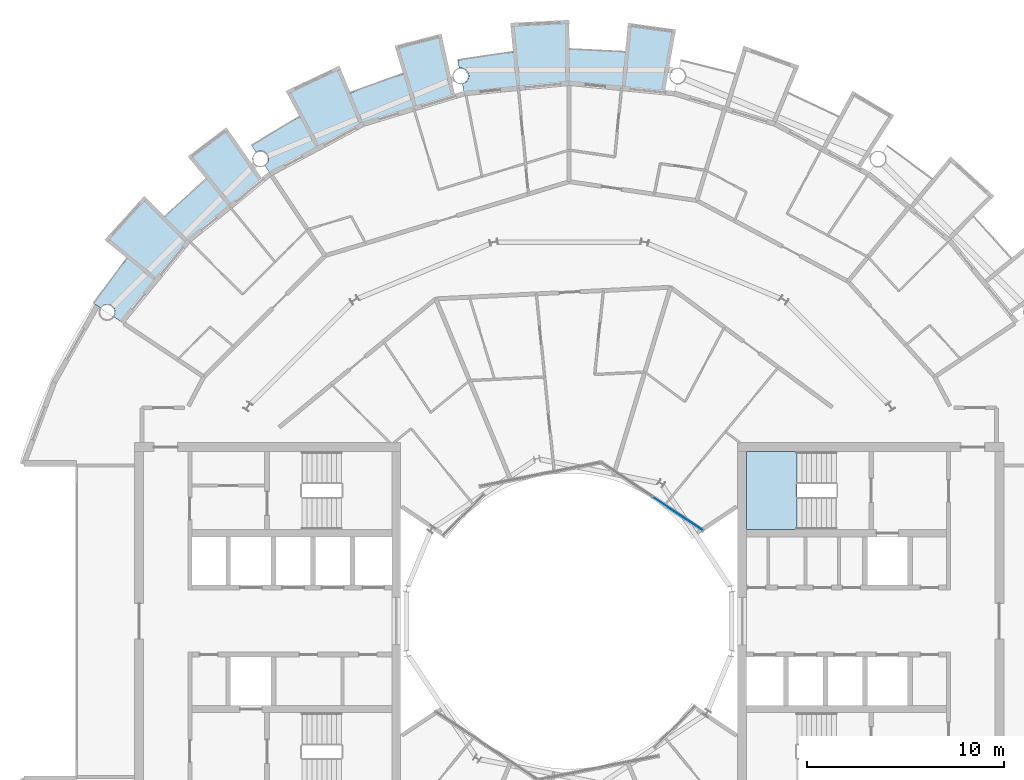
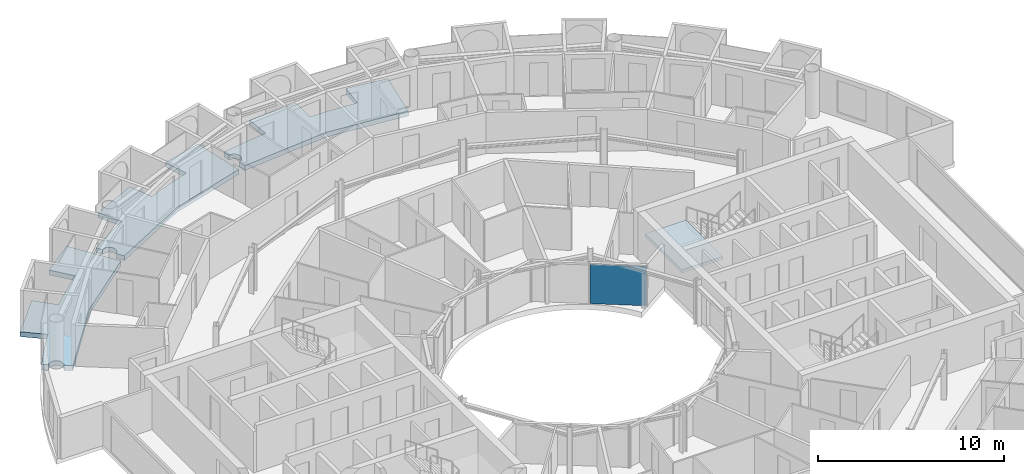
# One storey, part 13 of 29: 4 slabs, 1 plate, 2 elements without a shape of their own.
"""IFC4 building model written with IfcOpenShell, lengths in metres."""

from ifc_helpers import new_model, si_unit, direction, frame, origin, origin_2d, place, context, subcontext, project, spatial, polyline, rectangle, outline, extrude, material, layer, layer_set, type_object, element, aggregate, save


model = new_model("IFC4")

# Units and contexts
model_context = context("Model", 3, precision=1e-05, world=origin(), true_north=direction((0.0, 1.0)))
body_context = subcontext(model_context, "Body", "Model", "MODEL_VIEW")
ifc_project = project(units=[si_unit("LENGTHUNIT", "METRE"), si_unit("AREAUNIT", "SQUARE_METRE"), si_unit("VOLUMEUNIT", "CUBIC_METRE"), si_unit("PLANEANGLEUNIT", "RADIAN"), si_unit("MASSUNIT", "GRAM", prefix="KILO")], contexts=[model_context])

# Site, building, storey
site_placement = place(None, origin())
site = spatial("IfcSite", under=ifc_project, at=site_placement, CompositionType="ELEMENT")
building_placement = place(site_placement, origin())
building = spatial("IfcBuilding", under=site, at=building_placement, Name="Maasbend Ring Residences", CompositionType="ELEMENT")
storey_placement = place(building_placement, frame((0.0, 0.0, 205.449951171875)))
storey = spatial("IfcBuildingStorey", under=building, at=storey_placement, Name="L59", CompositionType="ELEMENT", Elevation=205.449951171875)

# Stair, slab
ifc_material_1 = material(Name="Concrete C40/50", Category="concrete")
stair_type = type_object("IfcStairType", Name="CORE STAIR 18 RISERS", PredefinedType="HALF_TURN_STAIR", material=ifc_material_1)
stair_placement = place(storey_placement, origin())
stair = element("IfcStair", 1, at=stair_placement, inside=storey, type_object=stair_type, Name="L59 Exit stair ST-E1", PredefinedType="HALF_TURN_STAIR")
ifc_material_2 = material(Name="Concrete C40/50", Category="concrete")
ifc_layer_1 = layer(ifc_material_2, 0.199951171875)
ifc_layer_set_1 = layer_set([ifc_layer_1], Name="Concrete C40/50")
slab_type_1 = type_object("IfcSlabType", Name="CORE STAIR LANDING 200", PredefinedType="LANDING", material=ifc_layer_set_1)
slab_1_placement = place(storey_placement, frame((0.0, 0.0, 1.324951171875)))
slab_1 = element("IfcSlab", 2, at=slab_1_placement, type_object=slab_type_1, Name="ST-E1 landing 1", PredefinedType="LANDING", context=body_context, shape_type="SweptSolid", body=[
    extrude(outline(polyline([(11.550048828125, 8.60009765625), (9.0, 8.60009765625), (9.0, 4.64990234375), (11.550048828125, 4.64990234375), (11.550048828125, 8.60009765625)])), origin(), (0.0, 0.0, 1.0), 0.2001953125),
])
aggregate(stair, [slab_1])

# Curtain wall, plate
ifc_material_3 = material(Name="Aluminium and clear glass", Category="aluminium")
ifc_layer_2 = layer(ifc_material_3, 0.179931640625)
ifc_layer_set_2 = layer_set([ifc_layer_2], Name="CW-W")
curtain_wall_type = type_object("IfcCurtainWallType", Name="CW-W", PredefinedType="NOTDEFINED", material=ifc_layer_set_2)
curtain_wall_placement = place(storey_placement, origin())
curtain_wall = element("IfcCurtainWall", 3, at=curtain_wall_placement, inside=storey, type_object=curtain_wall_type, Name="Well curtain wall N1", PredefinedType="NOTDEFINED")
ifc_material_4 = material(Name="Glass clear laminated", Category="glass")
ifc_layer_3 = layer(ifc_material_4, 0.031982421875)
ifc_layer_set_3 = layer_set([ifc_layer_3], Name="CWP-W")
plate_type = type_object("IfcPlateType", Name="CWP-W", PredefinedType="CURTAIN_PANEL", material=ifc_layer_set_3)
plate_placement = place(storey_placement, frame((5.51123046875, 5.44580078125, 0.0), z_axis=(0.0, 0.0, 1.0), x_axis=(-0.831469612303, 0.55557023302, 0.0)))
plate = element("IfcPlate", 4, at=plate_placement, type_object=plate_type, Name="Glass panel well face", PredefinedType="CURTAIN_PANEL", context=body_context, shape_type="SweptSolid", body=[
    extrude(rectangle(XDim=3.053955078125, YDim=0.031982421875, at=origin_2d()), origin(), (0.0, 0.0, 1.0), 2.580078125),
])
aggregate(curtain_wall, [plate])

# Slabs
ifc_material_5 = material(Name="Concrete C40/50", Category="concrete")
ifc_layer_4 = layer(ifc_material_5, 0.199951171875)
ifc_layer_set_4 = layer_set([ifc_layer_4], Name="Concrete C40/50")
slab_type_2 = type_object("IfcSlabType", Name="SL-LOGGIA", PredefinedType="FLOOR", material=ifc_layer_set_4)
slab_2_placement = place(storey_placement, frame((0.0, 0.0, -0.349853515625)))
element("IfcSlab", 5, at=slab_2_placement, inside=storey, type_object=slab_type_2, Name="Loggia floor 1", PredefinedType="FLOOR", context=body_context, shape_type="SweptSolid", body=[
    extrude(outline(polyline([(-14.5, 25.114990234375), (-13.6708984375, 25.574951171875), (-13.6708984375, 25.575927734375), (-13.6708984375, 25.575927734375), (-13.6708984375, 25.575927734375), (-13.6708984375, 25.575927734375), (-13.6708984375, 25.575927734375), (-13.6708984375, 25.575927734375), (-13.6708984375, 25.575927734375), (-13.6708984375, 25.575927734375), (-13.6708984375, 25.575927734375), (-13.6708984375, 25.575927734375), (-13.6708984375, 25.575927734375), (-13.6708984375, 25.575927734375), (-13.6708984375, 25.575927734375), (-13.6708984375, 25.575927734375), (-13.6708984375, 25.575927734375), (-13.6708984375, 25.575927734375), (-14.3779296875, 26.89892578125), (-14.3779296875, 26.89892578125), (-14.3779296875, 26.89892578125), (-11.672119140625, 28.177978515625), (-11.672119140625, 28.177978515625), (-11.672119140625, 28.177978515625), (-11.097900390625, 26.79296875), (-11.097900390625, 26.79296875), (-11.097900390625, 26.79296875), (-11.097900390625, 26.79296875), (-11.097900390625, 26.79296875), (-11.097900390625, 26.79296875), (-11.097900390625, 26.79296875), (-11.097900390625, 26.79296875), (-11.097900390625, 26.79296875), (-11.097900390625, 26.79296875), (-11.097900390625, 26.79296875), (-11.097900390625, 26.79296875), (-11.097900390625, 26.79296875), (-11.097900390625, 26.79296875), (-11.096923828125, 26.79296875), (-11.096923828125, 26.79296875), (-11.096923828125, 26.79296875), (-10.215087890625, 27.14111328125), (-10.215087890625, 27.14111328125), (-9.322021484375, 27.4609375), (-9.322021484375, 27.4609375), (-8.4189453125, 27.7509765625), (-8.4189453125, 27.7509765625), (-8.4189453125, 27.7509765625), (-8.4189453125, 27.7509765625), (-8.4189453125, 27.7509765625), (-8.4189453125, 27.7509765625), (-8.41796875, 27.7509765625), (-8.41796875, 27.7509765625), (-8.41796875, 27.7509765625), (-8.41796875, 27.7509765625), (-8.41796875, 27.7509765625), (-8.41796875, 27.751953125), (-8.41796875, 27.751953125), (-8.41796875, 27.751953125), (-8.41796875, 27.751953125), (-8.41796875, 27.751953125), (-8.41796875, 27.751953125), (-8.85400390625, 29.18701171875), (-8.85400390625, 29.18701171875), (-8.85400390625, 29.18701171875), (-6.487060546875, 29.802001953125), (-6.487060546875, 29.802001953125), (-6.487060546875, 29.802001953125), (-5.797119140625, 26.633056640625), (-5.797119140625, 26.633056640625), (-5.797119140625, 26.633056640625), (-7.886962890625, 25.9990234375), (-10.447021484375, 25.221923828125), (-10.447021484375, 25.221923828125), (-10.447021484375, 25.221923828125), (-12.806884765625, 23.9609375), (-15.1669921875, 22.698974609375), (-15.1669921875, 22.698974609375), (-15.1669921875, 22.698974609375), (-15.44091796875, 23.10888671875), (-15.43310546875, 23.114990234375), (-15.425048828125, 23.12109375), (-15.4169921875, 23.126953125), (-15.408935546875, 23.133056640625), (-15.402099609375, 23.139892578125), (-15.39404296875, 23.14599609375), (-15.386962890625, 23.153076171875), (-15.3798828125, 23.159912109375), (-15.373046875, 23.1669921875), (-15.365966796875, 23.174072265625), (-15.35888671875, 23.181884765625), (-15.35302734375, 23.18994140625), (-15.346923828125, 23.197021484375), (-15.341064453125, 23.205078125), (-15.3349609375, 23.212890625), (-15.3291015625, 23.221923828125), (-15.323974609375, 23.22998046875), (-15.318115234375, 23.238037109375), (-15.31298828125, 23.2470703125), (-15.30908203125, 23.256103515625), (-15.303955078125, 23.264892578125), (-15.300048828125, 23.27392578125), (-15.294921875, 23.282958984375), (-15.2919921875, 23.2919921875), (-15.2880859375, 23.301025390625), (-15.283935546875, 23.31005859375), (-15.281005859375, 23.320068359375), (-15.278076171875, 23.3291015625), (-15.27490234375, 23.339111328125), (-15.27294921875, 23.34912109375), (-15.27001953125, 23.35791015625), (-15.26806640625, 23.367919921875), (-15.26708984375, 23.3779296875), (-15.264892578125, 23.387939453125), (-15.263916015625, 23.39794921875), (-15.262939453125, 23.407958984375), (-15.261962890625, 23.4169921875), (-15.260986328125, 23.427001953125), (-15.260986328125, 23.43701171875), (-15.260986328125, 23.447021484375), (-15.260986328125, 23.45703125), (-15.260986328125, 23.467041015625), (-15.261962890625, 23.47705078125), (-15.262939453125, 23.487060546875), (-15.263916015625, 23.4970703125), (-15.264892578125, 23.507080078125), (-15.26708984375, 23.51708984375), (-15.26806640625, 23.527099609375), (-15.27001953125, 23.535888671875), (-15.27294921875, 23.5458984375), (-15.27490234375, 23.555908203125), (-15.278076171875, 23.56494140625), (-15.281005859375, 23.574951171875), (-15.283935546875, 23.583984375), (-15.2880859375, 23.593994140625), (-15.2919921875, 23.60302734375), (-15.294921875, 23.612060546875), (-15.300048828125, 23.62109375), (-15.303955078125, 23.6298828125), (-15.30908203125, 23.638916015625), (-15.31298828125, 23.64794921875), (-15.318115234375, 23.656005859375), (-15.323974609375, 23.6650390625), (-15.3291015625, 23.673095703125), (-15.3349609375, 23.680908203125), (-15.341064453125, 23.68994140625), (-15.346923828125, 23.697021484375), (-15.35302734375, 23.705078125), (-15.35888671875, 23.712890625), (-15.365966796875, 23.719970703125), (-15.373046875, 23.72802734375), (-15.3798828125, 23.735107421875), (-15.386962890625, 23.741943359375), (-15.39404296875, 23.7490234375), (-15.402099609375, 23.7548828125), (-15.408935546875, 23.761962890625), (-15.4169921875, 23.76806640625), (-15.425048828125, 23.77392578125), (-15.43310546875, 23.780029296875), (-15.44091796875, 23.784912109375), (-15.449951171875, 23.791015625), (-15.4580078125, 23.7958984375), (-15.467041015625, 23.801025390625), (-15.47509765625, 23.805908203125), (-15.48388671875, 23.81005859375), (-15.492919921875, 23.81494140625), (-15.501953125, 23.819091796875), (-15.511962890625, 23.822998046875), (-15.52099609375, 23.826904296875), (-15.530029296875, 23.830078125), (-15.5400390625, 23.8330078125), (-15.549072265625, 23.8359375), (-15.55908203125, 23.839111328125), (-15.568115234375, 23.842041015625), (-15.577880859375, 23.843994140625), (-15.587890625, 23.845947265625), (-15.597900390625, 23.847900390625), (-15.60693359375, 23.85009765625), (-15.616943359375, 23.85107421875), (-15.626953125, 23.85205078125), (-15.636962890625, 23.85302734375), (-15.64697265625, 23.85302734375), (-15.656982421875, 23.85400390625), (-15.6669921875, 23.85400390625), (-15.677001953125, 23.85400390625), (-15.68701171875, 23.85302734375), (-15.697021484375, 23.85302734375), (-15.70703125, 23.85205078125), (-15.717041015625, 23.85107421875), (-15.72705078125, 23.85009765625), (-15.737060546875, 23.847900390625), (-15.74609375, 23.845947265625), (-15.756103515625, 23.843994140625), (-15.76611328125, 23.842041015625), (-15.77587890625, 23.839111328125), (-15.784912109375, 23.8359375), (-15.794921875, 23.8330078125), (-15.803955078125, 23.830078125), (-15.81298828125, 23.826904296875), (-15.822998046875, 23.822998046875), (-15.83203125, 23.819091796875), (-15.841064453125, 23.81494140625), (-15.85009765625, 23.81005859375), (-15.85888671875, 23.805908203125), (-15.866943359375, 23.801025390625), (-15.8759765625, 23.7958984375), (-15.885009765625, 23.791015625), (-15.89306640625, 23.784912109375), (-16.112060546875, 24.113037109375), (-16.112060546875, 24.113037109375), (-16.112060546875, 24.113037109375), (-15.31396484375, 24.626953125), (-15.31396484375, 24.626953125), (-14.5, 25.114990234375), (-14.5, 25.114990234375)])), origin(), (0.0, 0.0, 1.0), 0.31982421875),
])
slab_3_placement = place(storey_placement, frame((0.0, 0.0, -0.349853515625)))
element("IfcSlab", 6, at=slab_3_placement, inside=storey, type_object=slab_type_2, Name="Loggia floor 3", PredefinedType="FLOOR", context=body_context, shape_type="SweptSolid", body=[
    extrude(outline(polyline([(-3.784912109375, 28.751953125), (-2.843017578125, 28.860107421875), (-2.843017578125, 28.860107421875), (-2.843017578125, 28.860107421875), (-2.843017578125, 28.860107421875), (-2.843017578125, 28.860107421875), (-2.843017578125, 28.860107421875), (-2.843017578125, 28.860107421875), (-2.843017578125, 28.860107421875), (-2.843017578125, 28.860107421875), (-2.843017578125, 28.861083984375), (-2.843017578125, 28.861083984375), (-2.843017578125, 28.861083984375), (-2.843017578125, 28.861083984375), (-2.843017578125, 28.861083984375), (-2.843017578125, 28.861083984375), (-2.843017578125, 28.861083984375), (-2.843017578125, 28.861083984375), (-2.989990234375, 30.35302734375), (-2.989990234375, 30.35302734375), (-2.989990234375, 30.35302734375), (0.0, 30.5), (0.0, 30.5), (0.0, 30.5), (0.0, 29.0), (0.0, 29.0), (0.0, 29.0), (0.0, 29.0), (0.0, 29.0), (0.0, 29.0), (0.0, 29.0), (0.0, 29.0), (0.0, 29.0), (0.0, 29.0), (0.0, 29.0), (0.0, 29.0), (0.0, 29.0), (0.0, 29.0), (0.0, 29.0), (0.0, 29.0), (0.0, 29.0), (0.948974609375, 28.98388671875), (0.948974609375, 28.98388671875), (1.89697265625, 28.93798828125), (1.89697265625, 28.93798828125), (2.842041015625, 28.860107421875), (2.842041015625, 28.860107421875), (2.842041015625, 28.860107421875), (2.842041015625, 28.860107421875), (2.842041015625, 28.860107421875), (2.842041015625, 28.860107421875), (2.842041015625, 28.860107421875), (2.842041015625, 28.860107421875), (2.842041015625, 28.861083984375), (2.842041015625, 28.861083984375), (2.842041015625, 28.861083984375), (2.842041015625, 28.861083984375), (2.842041015625, 28.861083984375), (2.843017578125, 28.861083984375), (2.843017578125, 28.861083984375), (2.843017578125, 28.861083984375), (2.843017578125, 28.861083984375), (2.989990234375, 30.35302734375), (2.989990234375, 30.35302734375), (2.989990234375, 30.35302734375), (5.412109375, 30.01611328125), (5.412109375, 30.01611328125), (5.412109375, 30.01611328125), (4.8359375, 26.823974609375), (4.8359375, 26.823974609375), (4.8359375, 26.823974609375), (2.6630859375, 27.0380859375), (0.0, 27.300048828125), (0.0, 27.300048828125), (0.0, 27.300048828125), (-2.6630859375, 27.0380859375), (-5.325927734375, 26.77490234375), (-5.325927734375, 26.77490234375), (-5.325927734375, 26.77490234375), (-5.422119140625, 27.259033203125), (-5.422119140625, 27.259033203125), (-5.412109375, 27.260986328125), (-5.403076171875, 27.263916015625), (-5.39306640625, 27.26611328125), (-5.383056640625, 27.26904296875), (-5.3740234375, 27.27197265625), (-5.364990234375, 27.27490234375), (-5.35498046875, 27.279052734375), (-5.345947265625, 27.282958984375), (-5.3369140625, 27.285888671875), (-5.327880859375, 27.291015625), (-5.319091796875, 27.294921875), (-5.31005859375, 27.300048828125), (-5.301025390625, 27.303955078125), (-5.29296875, 27.30908203125), (-5.283935546875, 27.31494140625), (-5.27587890625, 27.320068359375), (-5.26708984375, 27.325927734375), (-5.259033203125, 27.33203125), (-5.2509765625, 27.337890625), (-5.243896484375, 27.343994140625), (-5.236083984375, 27.35009765625), (-5.22900390625, 27.35693359375), (-5.220947265625, 27.364013671875), (-5.214111328125, 27.37109375), (-5.20703125, 27.3779296875), (-5.199951171875, 27.385009765625), (-5.194091796875, 27.39306640625), (-5.18701171875, 27.39990234375), (-5.180908203125, 27.407958984375), (-5.175048828125, 27.416015625), (-5.1689453125, 27.424072265625), (-5.1640625, 27.431884765625), (-5.157958984375, 27.44091796875), (-5.153076171875, 27.448974609375), (-5.14794921875, 27.4580078125), (-5.14306640625, 27.466064453125), (-5.137939453125, 27.47509765625), (-5.134033203125, 27.48388671875), (-5.1298828125, 27.492919921875), (-5.1259765625, 27.5029296875), (-5.1220703125, 27.511962890625), (-5.118896484375, 27.52099609375), (-5.115966796875, 27.531005859375), (-5.113037109375, 27.5400390625), (-5.110107421875, 27.550048828125), (-5.10693359375, 27.55908203125), (-5.10498046875, 27.569091796875), (-5.10302734375, 27.5791015625), (-5.10107421875, 27.589111328125), (-5.09912109375, 27.597900390625), (-5.097900390625, 27.60791015625), (-5.096923828125, 27.617919921875), (-5.095947265625, 27.6279296875), (-5.094970703125, 27.637939453125), (-5.094970703125, 27.64794921875), (-5.094970703125, 27.657958984375), (-5.094970703125, 27.66796875), (-5.094970703125, 27.677978515625), (-5.095947265625, 27.68798828125), (-5.096923828125, 27.697998046875), (-5.097900390625, 27.7080078125), (-5.09912109375, 27.718017578125), (-5.10107421875, 27.72802734375), (-5.10302734375, 27.737060546875), (-5.10498046875, 27.7470703125), (-5.10693359375, 27.757080078125), (-5.110107421875, 27.76708984375), (-5.113037109375, 27.77587890625), (-5.115966796875, 27.785888671875), (-5.118896484375, 27.794921875), (-5.1220703125, 27.803955078125), (-5.1259765625, 27.81396484375), (-5.1298828125, 27.822998046875), (-5.134033203125, 27.83203125), (-5.137939453125, 27.841064453125), (-5.14306640625, 27.85009765625), (-5.14794921875, 27.85791015625), (-5.153076171875, 27.866943359375), (-5.157958984375, 27.8759765625), (-5.1640625, 27.884033203125), (-5.1689453125, 27.89208984375), (-5.175048828125, 27.89990234375), (-5.180908203125, 27.907958984375), (-5.18701171875, 27.916015625), (-5.194091796875, 27.924072265625), (-5.199951171875, 27.930908203125), (-5.20703125, 27.93798828125), (-5.214111328125, 27.946044921875), (-5.220947265625, 27.952880859375), (-5.22900390625, 27.958984375), (-5.236083984375, 27.966064453125), (-5.243896484375, 27.971923828125), (-5.2509765625, 27.97900390625), (-5.259033203125, 27.985107421875), (-5.26708984375, 27.989990234375), (-5.27587890625, 27.99609375), (-5.283935546875, 28.001953125), (-5.29296875, 28.007080078125), (-5.301025390625, 28.011962890625), (-5.31005859375, 28.01708984375), (-5.319091796875, 28.02099609375), (-5.327880859375, 28.02587890625), (-5.3369140625, 28.030029296875), (-5.345947265625, 28.033935546875), (-5.35498046875, 28.037109375), (-5.364990234375, 28.041015625), (-5.3740234375, 28.0439453125), (-5.383056640625, 28.047119140625), (-5.39306640625, 28.050048828125), (-5.403076171875, 28.052001953125), (-5.412109375, 28.054931640625), (-5.422119140625, 28.056884765625), (-5.431884765625, 28.05908203125), (-5.44189453125, 28.06005859375), (-5.451904296875, 28.06201171875), (-5.4619140625, 28.06298828125), (-5.471923828125, 28.06298828125), (-5.48193359375, 28.06396484375), (-5.491943359375, 28.06396484375), (-5.501953125, 28.06494140625), (-5.510986328125, 28.06396484375), (-5.52099609375, 28.06396484375), (-5.531005859375, 28.06298828125), (-5.541015625, 28.06298828125), (-5.551025390625, 28.06201171875), (-5.56103515625, 28.06005859375), (-5.571044921875, 28.05908203125), (-5.5810546875, 28.056884765625), (-5.5810546875, 28.056884765625), (-5.657958984375, 28.443115234375), (-5.657958984375, 28.443115234375), (-5.657958984375, 28.443115234375), (-4.72412109375, 28.613037109375), (-4.72412109375, 28.613037109375), (-3.784912109375, 28.751953125), (-3.784912109375, 28.751953125)])), origin(), (0.0, 0.0, 1.0), 0.31982421875),
])
slab_4_placement = place(storey_placement, frame((0.0, 0.0, -0.349853515625)))
element("IfcSlab", 7, at=slab_4_placement, inside=storey, type_object=slab_type_2, Name="Loggia floor 4", PredefinedType="FLOOR", context=body_context, shape_type="SweptSolid", body=[
    extrude(outline(polyline([(-23.007080078125, 17.654052734375), (-22.41796875, 18.39697265625), (-22.41796875, 18.39697265625), (-22.41796875, 18.39697265625), (-22.41796875, 18.39697265625), (-22.41796875, 18.39697265625), (-22.41796875, 18.39697265625), (-22.41796875, 18.39697265625), (-22.41796875, 18.39697265625), (-22.41796875, 18.39697265625), (-22.41796875, 18.39697265625), (-22.41796875, 18.39697265625), (-22.41796875, 18.39794921875), (-22.41796875, 18.39794921875), (-22.41796875, 18.39794921875), (-22.41796875, 18.39794921875), (-22.41796875, 18.39794921875), (-22.41796875, 18.39794921875), (-23.576904296875, 19.34912109375), (-23.576904296875, 19.34912109375), (-23.576904296875, 19.34912109375), (-21.56689453125, 21.56689453125), (-21.56689453125, 21.56689453125), (-21.56689453125, 21.56689453125), (-20.506103515625, 20.506103515625), (-20.506103515625, 20.506103515625), (-20.506103515625, 20.506103515625), (-20.506103515625, 20.506103515625), (-20.506103515625, 20.506103515625), (-20.506103515625, 20.506103515625), (-20.506103515625, 20.506103515625), (-20.506103515625, 20.506103515625), (-20.506103515625, 20.506103515625), (-20.506103515625, 20.506103515625), (-20.506103515625, 20.506103515625), (-20.506103515625, 20.506103515625), (-20.506103515625, 20.506103515625), (-20.506103515625, 20.506103515625), (-20.506103515625, 20.506103515625), (-20.506103515625, 20.506103515625), (-20.506103515625, 20.506103515625), (-19.823974609375, 21.166015625), (-19.823974609375, 21.166015625), (-19.12109375, 21.802978515625), (-19.12109375, 21.802978515625), (-18.39794921875, 22.4169921875), (-18.39794921875, 22.4169921875), (-18.39794921875, 22.4169921875), (-18.39794921875, 22.4169921875), (-18.39794921875, 22.4169921875), (-18.39794921875, 22.4169921875), (-18.39794921875, 22.4169921875), (-18.39794921875, 22.4169921875), (-18.39794921875, 22.4169921875), (-18.39794921875, 22.4169921875), (-18.39794921875, 22.4169921875), (-18.39794921875, 22.4169921875), (-18.39794921875, 22.41796875), (-18.39794921875, 22.41796875), (-18.39794921875, 22.41796875), (-18.39794921875, 22.41796875), (-18.39794921875, 22.41796875), (-19.34912109375, 23.576904296875), (-19.34912109375, 23.576904296875), (-19.34912109375, 23.576904296875), (-17.39794921875, 25.051025390625), (-17.39794921875, 25.051025390625), (-17.39794921875, 25.051025390625), (-15.547119140625, 22.386962890625), (-15.547119140625, 22.386962890625), (-15.547119140625, 22.386962890625), (-17.236083984375, 21.001953125), (-19.303955078125, 19.303955078125), (-19.303955078125, 19.303955078125), (-19.303955078125, 19.303955078125), (-21.001953125, 17.236083984375), (-22.698974609375, 15.1669921875), (-22.698974609375, 15.1669921875), (-22.698974609375, 15.1669921875), (-23.10888671875, 15.44091796875), (-23.10888671875, 15.44091796875), (-23.10400390625, 15.449951171875), (-23.09912109375, 15.4580078125), (-23.093994140625, 15.467041015625), (-23.089111328125, 15.47509765625), (-23.083984375, 15.48388671875), (-23.080078125, 15.492919921875), (-23.075927734375, 15.501953125), (-23.072021484375, 15.511962890625), (-23.068115234375, 15.52099609375), (-23.06494140625, 15.530029296875), (-23.06103515625, 15.5400390625), (-23.05810546875, 15.549072265625), (-23.055908203125, 15.55908203125), (-23.052978515625, 15.568115234375), (-23.051025390625, 15.577880859375), (-23.049072265625, 15.587890625), (-23.047119140625, 15.597900390625), (-23.044921875, 15.60693359375), (-23.0439453125, 15.616943359375), (-23.04296875, 15.626953125), (-23.0419921875, 15.636962890625), (-23.041015625, 15.64697265625), (-23.041015625, 15.656982421875), (-23.041015625, 15.6669921875), (-23.041015625, 15.677001953125), (-23.041015625, 15.68701171875), (-23.0419921875, 15.697021484375), (-23.04296875, 15.70703125), (-23.0439453125, 15.717041015625), (-23.044921875, 15.72705078125), (-23.047119140625, 15.737060546875), (-23.049072265625, 15.74609375), (-23.051025390625, 15.756103515625), (-23.052978515625, 15.76611328125), (-23.055908203125, 15.77587890625), (-23.05810546875, 15.784912109375), (-23.06103515625, 15.794921875), (-23.06494140625, 15.803955078125), (-23.068115234375, 15.81298828125), (-23.072021484375, 15.822998046875), (-23.075927734375, 15.83203125), (-23.080078125, 15.841064453125), (-23.083984375, 15.85009765625), (-23.089111328125, 15.85888671875), (-23.093994140625, 15.866943359375), (-23.09912109375, 15.8759765625), (-23.10400390625, 15.885009765625), (-23.10888671875, 15.89306640625), (-23.114990234375, 15.90087890625), (-23.12109375, 15.908935546875), (-23.126953125, 15.9169921875), (-23.133056640625, 15.925048828125), (-23.139892578125, 15.93310546875), (-23.14599609375, 15.93994140625), (-23.153076171875, 15.947021484375), (-23.159912109375, 15.955078125), (-23.1669921875, 15.9619140625), (-23.174072265625, 15.968017578125), (-23.181884765625, 15.97509765625), (-23.18994140625, 15.98095703125), (-23.197021484375, 15.988037109375), (-23.205078125, 15.993896484375), (-23.212890625, 15.9990234375), (-23.221923828125, 16.0048828125), (-23.22998046875, 16.010986328125), (-23.238037109375, 16.01611328125), (-23.2470703125, 16.02099609375), (-23.256103515625, 16.02587890625), (-23.264892578125, 16.030029296875), (-23.27392578125, 16.034912109375), (-23.282958984375, 16.0390625), (-23.2919921875, 16.04296875), (-23.301025390625, 16.0458984375), (-23.31005859375, 16.050048828125), (-23.320068359375, 16.052978515625), (-23.3291015625, 16.055908203125), (-23.339111328125, 16.05908203125), (-23.34912109375, 16.06103515625), (-23.35791015625, 16.06396484375), (-23.367919921875, 16.06591796875), (-23.3779296875, 16.068115234375), (-23.387939453125, 16.069091796875), (-23.39794921875, 16.071044921875), (-23.407958984375, 16.072021484375), (-23.4169921875, 16.072021484375), (-23.427001953125, 16.072998046875), (-23.43701171875, 16.072998046875), (-23.447021484375, 16.073974609375), (-23.45703125, 16.072998046875), (-23.467041015625, 16.072998046875), (-23.47705078125, 16.072021484375), (-23.487060546875, 16.072021484375), (-23.4970703125, 16.071044921875), (-23.507080078125, 16.069091796875), (-23.51708984375, 16.068115234375), (-23.527099609375, 16.06591796875), (-23.535888671875, 16.06396484375), (-23.5458984375, 16.06103515625), (-23.555908203125, 16.05908203125), (-23.56494140625, 16.055908203125), (-23.574951171875, 16.052978515625), (-23.583984375, 16.050048828125), (-23.593994140625, 16.0458984375), (-23.60302734375, 16.04296875), (-23.612060546875, 16.0390625), (-23.62109375, 16.034912109375), (-23.6298828125, 16.030029296875), (-23.638916015625, 16.02587890625), (-23.64794921875, 16.02099609375), (-23.656005859375, 16.01611328125), (-23.6650390625, 16.010986328125), (-23.673095703125, 16.0048828125), (-23.680908203125, 15.9990234375), (-23.68994140625, 15.993896484375), (-23.697021484375, 15.988037109375), (-23.705078125, 15.98095703125), (-23.712890625, 15.97509765625), (-23.719970703125, 15.968017578125), (-23.72802734375, 15.9619140625), (-23.735107421875, 15.955078125), (-23.741943359375, 15.947021484375), (-23.7490234375, 15.93994140625), (-23.7548828125, 15.93310546875), (-23.761962890625, 15.925048828125), (-23.76806640625, 15.9169921875), (-23.77392578125, 15.908935546875), (-23.780029296875, 15.90087890625), (-23.784912109375, 15.89306640625), (-23.784912109375, 15.89306640625), (-24.113037109375, 16.112060546875), (-24.113037109375, 16.112060546875), (-24.113037109375, 16.112060546875), (-23.572998046875, 16.89208984375), (-23.572998046875, 16.89208984375), (-23.007080078125, 17.654052734375), (-23.007080078125, 17.654052734375)])), origin(), (0.0, 0.0, 1.0), 0.31982421875),
])

save(model, "model.ifc")
